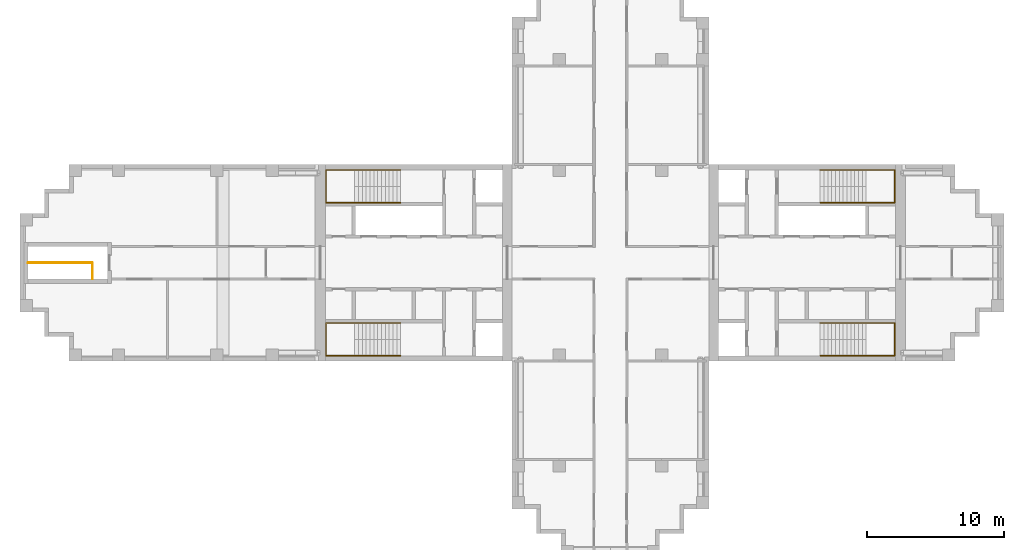
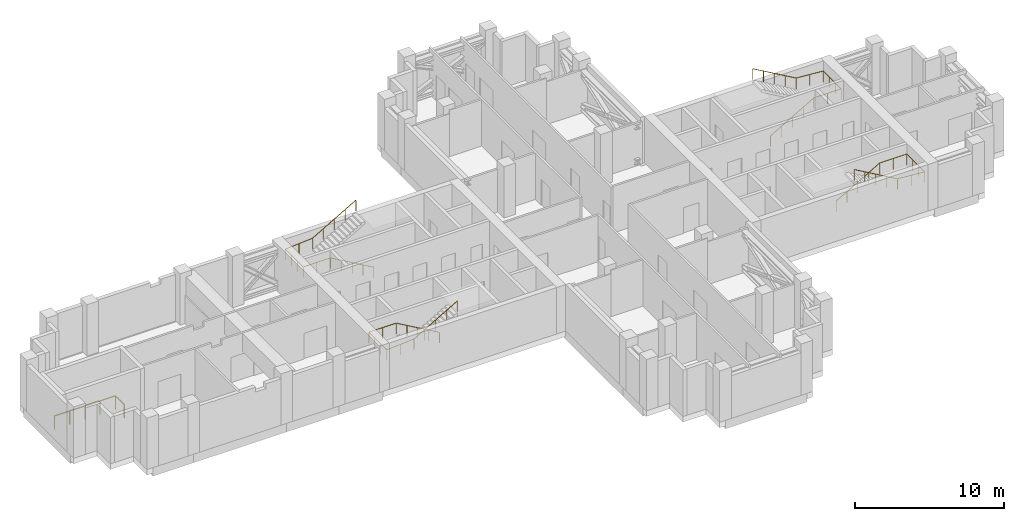
# One storey, part 8 of 8: 5 railings.
"""IFC4 building model written with IfcOpenShell, lengths in metres."""

from ifc_helpers import new_model, si_unit, direction, frame, origin, origin_2d, place, context, subcontext, project, spatial, circle, extrude, material, type_object, element, save


model = new_model("IFC4")

# Units and contexts
model_context = context("Model", 3, precision=1e-05, world=origin(), true_north=direction((0.0, 1.0)))
body_context = subcontext(model_context, "Body", "Model", "MODEL_VIEW")
ifc_project = project(units=[si_unit("LENGTHUNIT", "METRE"), si_unit("AREAUNIT", "SQUARE_METRE"), si_unit("VOLUMEUNIT", "CUBIC_METRE"), si_unit("PLANEANGLEUNIT", "RADIAN"), si_unit("MASSUNIT", "GRAM", prefix="KILO")], contexts=[model_context])

# Site, building, storey
site_placement = place(None, origin())
site = spatial("IfcSite", under=ifc_project, at=site_placement, CompositionType="ELEMENT")
building_placement = place(site_placement, origin())
building = spatial("IfcBuilding", under=site, at=building_placement, Name="Fustian Cross Tower", CompositionType="ELEMENT")
storey_placement = place(building_placement, frame((0.0, 0.0, 194.699951171875)))
storey = spatial("IfcBuildingStorey", under=building, at=storey_placement, Name="L61", CompositionType="ELEMENT", Elevation=194.699951171875)

# Railings
ifc_material_1 = material(Name="Stainless steel", Category="steel")
railing_type_1 = type_object("IfcRailingType", Name="STAIR GUARD", PredefinedType="GUARDRAIL", material=ifc_material_1)
railing_1_placement = place(storey_placement, frame((-37.89990234375, -1.199951171875, 0.0)))
element("IfcRailing", 1, at=railing_1_placement, inside=storey, type_object=railing_type_1, Name="Stair ST9 guard", PredefinedType="GUARDRAIL", context=body_context, shape_type="SweptSolid", body=[
    extrude(circle(Radius=0.02490234375, at=origin_2d()), frame((0.0, 0.0, 1.0751953125), z_axis=(0.0, 1.0, 0.0), x_axis=(-1.0, 0.0, 0.0)), (0.0, 0.0, 1.0), 1.199951171875),
    extrude(circle(Radius=0.02490234375, at=origin_2d()), frame((0.0, 1.199951171875, 1.0751953125), z_axis=(-1.0, 0.0, 0.0), x_axis=(0.0, -1.0, 0.0)), (0.0, 0.0, 1.0), 4.7001953125),
    extrude(circle(Radius=0.02001953125, at=origin_2d()), origin(), (0.0, 0.0, 1.0), 1.050048828125),
    extrude(circle(Radius=0.02001953125, at=origin_2d()), frame((0.0, 1.199951171875, 0.0)), (0.0, 0.0, 1.0), 1.050048828125),
    extrude(circle(Radius=0.02001953125, at=origin_2d()), frame((-1.175048828125, 1.199951171875, 0.0)), (0.0, 0.0, 1.0), 1.050048828125),
    extrude(circle(Radius=0.02001953125, at=origin_2d()), frame((-2.35009765625, 1.199951171875, 0.0)), (0.0, 0.0, 1.0), 1.050048828125),
    extrude(circle(Radius=0.02001953125, at=origin_2d()), frame((-3.525146484375, 1.199951171875, 0.0)), (0.0, 0.0, 1.0), 1.050048828125),
    extrude(circle(Radius=0.02001953125, at=origin_2d()), frame((-4.7001953125, 1.199951171875, 0.0)), (0.0, 0.0, 1.0), 1.050048828125),
])
ifc_material_2 = material(Name="Stainless steel", Category="steel")
railing_type_2 = type_object("IfcRailingType", Name="STAIR HANDRAIL", PredefinedType="HANDRAIL", material=ifc_material_2)
railing_2_placement = place(storey_placement, frame((15.35009765625, 4.39990234375, 0.16162109375)))
element("IfcRailing", 2, at=railing_2_placement, inside=storey, type_object=railing_type_2, Name="Stair ST1 handrail 1", PredefinedType="HANDRAIL", context=body_context, shape_type="SweptSolid", body=[
    extrude(circle(Radius=0.02490234375, at=origin_2d()), frame((0.0, 0.0, 0.875), z_axis=(0.866175107563, 0.0, 0.499740615757), x_axis=(0.0, 1.0, 0.0)), (0.0, 0.0, 1.0), 3.87890625),
    extrude(circle(Radius=0.02490234375, at=origin_2d()), frame((3.35986328125, 0.0, 2.8134765625), z_axis=(1.0, 0.0, 0.0), x_axis=(0.0, 1.0, 0.0)), (0.0, 0.0, 1.0), 2.10009765625),
    extrude(circle(Radius=0.02490234375, at=origin_2d()), frame((5.4599609375, 0.0, 2.8134765625), z_axis=(0.0, 1.0, 0.0), x_axis=(-1.0, 0.0, 0.0)), (0.0, 0.0, 1.0), 2.400146484375),
    extrude(circle(Radius=0.02490234375, at=origin_2d()), frame((5.4599609375, 2.400146484375, 2.8134765625), z_axis=(-0.997060618739, 0.0, 0.076616725062), x_axis=(0.0, -1.0, 0.0)), (0.0, 0.0, 1.0), 2.106201171875),
    extrude(circle(Radius=0.02490234375, at=origin_2d()), frame((3.35986328125, 2.400146484375, 2.974609375), z_axis=(-0.866175107563, 0.0, 0.499740615757), x_axis=(0.0, -1.0, 0.0)), (0.0, 0.0, 1.0), 3.87890625),
    extrude(circle(Radius=0.02001953125, at=origin_2d()), origin(), (0.0, 0.0, 1.0), 0.849853515625),
    extrude(circle(Radius=0.02001953125, at=origin_2d()), frame((0.83984375, 0.0, 0.484619140625)), (0.0, 0.0, 1.0), 0.849853515625),
    extrude(circle(Radius=0.02001953125, at=origin_2d()), frame((1.679931640625, 0.0, 0.96923828125)), (0.0, 0.0, 1.0), 0.849853515625),
    extrude(circle(Radius=0.02001953125, at=origin_2d()), frame((2.52001953125, 0.0, 1.453857421875)), (0.0, 0.0, 1.0), 0.849853515625),
    extrude(circle(Radius=0.02001953125, at=origin_2d()), frame((3.35986328125, 0.0, 1.9384765625)), (0.0, 0.0, 1.0), 0.849853515625),
    extrude(circle(Radius=0.02001953125, at=origin_2d()), frame((4.409912109375, 0.0, 1.9384765625)), (0.0, 0.0, 1.0), 0.849853515625),
    extrude(circle(Radius=0.02001953125, at=origin_2d()), frame((5.4599609375, 0.0, 1.9384765625)), (0.0, 0.0, 1.0), 0.849853515625),
    extrude(circle(Radius=0.02001953125, at=origin_2d()), frame((5.4599609375, 0.800048828125, 1.9384765625)), (0.0, 0.0, 1.0), 0.849853515625),
    extrude(circle(Radius=0.02001953125, at=origin_2d()), frame((5.4599609375, 1.60009765625, 1.9384765625)), (0.0, 0.0, 1.0), 0.849853515625),
    extrude(circle(Radius=0.02001953125, at=origin_2d()), frame((5.4599609375, 2.400146484375, 1.9384765625)), (0.0, 0.0, 1.0), 0.849853515625),
    extrude(circle(Radius=0.02001953125, at=origin_2d()), frame((4.409912109375, 2.400146484375, 2.01904296875)), (0.0, 0.0, 1.0), 0.849853515625),
    extrude(circle(Radius=0.02001953125, at=origin_2d()), frame((3.35986328125, 2.400146484375, 2.099853515625)), (0.0, 0.0, 1.0), 0.849853515625),
    extrude(circle(Radius=0.02001953125, at=origin_2d()), frame((2.52001953125, 2.400146484375, 2.58447265625)), (0.0, 0.0, 1.0), 0.849853515625),
    extrude(circle(Radius=0.02001953125, at=origin_2d()), frame((1.679931640625, 2.400146484375, 3.069091796875)), (0.0, 0.0, 1.0), 0.849853515625),
    extrude(circle(Radius=0.02001953125, at=origin_2d()), frame((0.83984375, 2.400146484375, 3.5537109375)), (0.0, 0.0, 1.0), 0.849853515625),
    extrude(circle(Radius=0.02001953125, at=origin_2d()), frame((0.0, 2.400146484375, 4.038330078125)), (0.0, 0.0, 1.0), 0.849853515625),
])
railing_3_placement = place(storey_placement, frame((15.35009765625, -4.39990234375, 0.16162109375)))
element("IfcRailing", 3, at=railing_3_placement, inside=storey, type_object=railing_type_2, Name="Stair ST2 handrail 1", PredefinedType="HANDRAIL", context=body_context, shape_type="SweptSolid", body=[
    extrude(circle(Radius=0.02490234375, at=origin_2d()), frame((0.0, 0.0, 0.875), z_axis=(0.866175107563, 0.0, 0.499740615757), x_axis=(0.0, 1.0, 0.0)), (0.0, 0.0, 1.0), 3.87890625),
    extrude(circle(Radius=0.02490234375, at=origin_2d()), frame((3.35986328125, 0.0, 2.8134765625), z_axis=(1.0, 0.0, 0.0), x_axis=(0.0, 1.0, 0.0)), (0.0, 0.0, 1.0), 2.10009765625),
    extrude(circle(Radius=0.02490234375, at=origin_2d()), frame((5.4599609375, 0.0, 2.8134765625), z_axis=(0.0, -1.0, 0.0), x_axis=(1.0, 0.0, 0.0)), (0.0, 0.0, 1.0), 2.400146484375),
    extrude(circle(Radius=0.02490234375, at=origin_2d()), frame((5.4599609375, -2.400146484375, 2.8134765625), z_axis=(-0.997060618739, 0.0, 0.076616725062), x_axis=(0.0, -1.0, 0.0)), (0.0, 0.0, 1.0), 2.106201171875),
    extrude(circle(Radius=0.02490234375, at=origin_2d()), frame((3.35986328125, -2.400146484375, 2.974609375), z_axis=(-0.866175107563, 0.0, 0.499740615757), x_axis=(0.0, -1.0, 0.0)), (0.0, 0.0, 1.0), 3.87890625),
    extrude(circle(Radius=0.02001953125, at=origin_2d()), origin(), (0.0, 0.0, 1.0), 0.849853515625),
    extrude(circle(Radius=0.02001953125, at=origin_2d()), frame((0.83984375, 0.0, 0.484619140625)), (0.0, 0.0, 1.0), 0.849853515625),
    extrude(circle(Radius=0.02001953125, at=origin_2d()), frame((1.679931640625, 0.0, 0.96923828125)), (0.0, 0.0, 1.0), 0.849853515625),
    extrude(circle(Radius=0.02001953125, at=origin_2d()), frame((2.52001953125, 0.0, 1.453857421875)), (0.0, 0.0, 1.0), 0.849853515625),
    extrude(circle(Radius=0.02001953125, at=origin_2d()), frame((3.35986328125, 0.0, 1.9384765625)), (0.0, 0.0, 1.0), 0.849853515625),
    extrude(circle(Radius=0.02001953125, at=origin_2d()), frame((4.409912109375, 0.0, 1.9384765625)), (0.0, 0.0, 1.0), 0.849853515625),
    extrude(circle(Radius=0.02001953125, at=origin_2d()), frame((5.4599609375, 0.0, 1.9384765625)), (0.0, 0.0, 1.0), 0.849853515625),
    extrude(circle(Radius=0.02001953125, at=origin_2d()), frame((5.4599609375, -0.800048828125, 1.9384765625)), (0.0, 0.0, 1.0), 0.849853515625),
    extrude(circle(Radius=0.02001953125, at=origin_2d()), frame((5.4599609375, -1.60009765625, 1.9384765625)), (0.0, 0.0, 1.0), 0.849853515625),
    extrude(circle(Radius=0.02001953125, at=origin_2d()), frame((5.4599609375, -2.400146484375, 1.9384765625)), (0.0, 0.0, 1.0), 0.849853515625),
    extrude(circle(Radius=0.02001953125, at=origin_2d()), frame((4.409912109375, -2.400146484375, 2.01904296875)), (0.0, 0.0, 1.0), 0.849853515625),
    extrude(circle(Radius=0.02001953125, at=origin_2d()), frame((3.35986328125, -2.400146484375, 2.099853515625)), (0.0, 0.0, 1.0), 0.849853515625),
    extrude(circle(Radius=0.02001953125, at=origin_2d()), frame((2.52001953125, -2.400146484375, 2.58447265625)), (0.0, 0.0, 1.0), 0.849853515625),
    extrude(circle(Radius=0.02001953125, at=origin_2d()), frame((1.679931640625, -2.400146484375, 3.069091796875)), (0.0, 0.0, 1.0), 0.849853515625),
    extrude(circle(Radius=0.02001953125, at=origin_2d()), frame((0.83984375, -2.400146484375, 3.5537109375)), (0.0, 0.0, 1.0), 0.849853515625),
    extrude(circle(Radius=0.02001953125, at=origin_2d()), frame((0.0, -2.400146484375, 4.038330078125)), (0.0, 0.0, 1.0), 0.849853515625),
])
railing_4_placement = place(storey_placement, frame((-15.35009765625, 4.39990234375, 0.16162109375)))
element("IfcRailing", 4, at=railing_4_placement, inside=storey, type_object=railing_type_2, Name="Stair ST3 handrail 1", PredefinedType="HANDRAIL", context=body_context, shape_type="SweptSolid", body=[
    extrude(circle(Radius=0.02490234375, at=origin_2d()), frame((0.0, 0.0, 0.875), z_axis=(-0.866175107563, 0.0, 0.499740615757), x_axis=(0.0, -1.0, 0.0)), (0.0, 0.0, 1.0), 3.87890625),
    extrude(circle(Radius=0.02490234375, at=origin_2d()), frame((-3.35986328125, 0.0, 2.8134765625), z_axis=(-1.0, 0.0, 0.0), x_axis=(0.0, -1.0, 0.0)), (0.0, 0.0, 1.0), 2.10009765625),
    extrude(circle(Radius=0.02490234375, at=origin_2d()), frame((-5.4599609375, 0.0, 2.8134765625), z_axis=(0.0, 1.0, 0.0), x_axis=(-1.0, 0.0, 0.0)), (0.0, 0.0, 1.0), 2.400146484375),
    extrude(circle(Radius=0.02490234375, at=origin_2d()), frame((-5.4599609375, 2.400146484375, 2.8134765625), z_axis=(0.997060618739, 0.0, 0.076616725062), x_axis=(0.0, 1.0, 0.0)), (0.0, 0.0, 1.0), 2.106201171875),
    extrude(circle(Radius=0.02490234375, at=origin_2d()), frame((-3.35986328125, 2.400146484375, 2.974609375), z_axis=(0.866175107563, 0.0, 0.499740615757), x_axis=(0.0, 1.0, 0.0)), (0.0, 0.0, 1.0), 3.87890625),
    extrude(circle(Radius=0.02001953125, at=origin_2d()), origin(), (0.0, 0.0, 1.0), 0.849853515625),
    extrude(circle(Radius=0.02001953125, at=origin_2d()), frame((-0.83984375, 0.0, 0.484619140625)), (0.0, 0.0, 1.0), 0.849853515625),
    extrude(circle(Radius=0.02001953125, at=origin_2d()), frame((-1.679931640625, 0.0, 0.96923828125)), (0.0, 0.0, 1.0), 0.849853515625),
    extrude(circle(Radius=0.02001953125, at=origin_2d()), frame((-2.52001953125, 0.0, 1.453857421875)), (0.0, 0.0, 1.0), 0.849853515625),
    extrude(circle(Radius=0.02001953125, at=origin_2d()), frame((-3.35986328125, 0.0, 1.9384765625)), (0.0, 0.0, 1.0), 0.849853515625),
    extrude(circle(Radius=0.02001953125, at=origin_2d()), frame((-4.409912109375, 0.0, 1.9384765625)), (0.0, 0.0, 1.0), 0.849853515625),
    extrude(circle(Radius=0.02001953125, at=origin_2d()), frame((-5.4599609375, 0.0, 1.9384765625)), (0.0, 0.0, 1.0), 0.849853515625),
    extrude(circle(Radius=0.02001953125, at=origin_2d()), frame((-5.4599609375, 0.800048828125, 1.9384765625)), (0.0, 0.0, 1.0), 0.849853515625),
    extrude(circle(Radius=0.02001953125, at=origin_2d()), frame((-5.4599609375, 1.60009765625, 1.9384765625)), (0.0, 0.0, 1.0), 0.849853515625),
    extrude(circle(Radius=0.02001953125, at=origin_2d()), frame((-5.4599609375, 2.400146484375, 1.9384765625)), (0.0, 0.0, 1.0), 0.849853515625),
    extrude(circle(Radius=0.02001953125, at=origin_2d()), frame((-4.409912109375, 2.400146484375, 2.01904296875)), (0.0, 0.0, 1.0), 0.849853515625),
    extrude(circle(Radius=0.02001953125, at=origin_2d()), frame((-3.35986328125, 2.400146484375, 2.099853515625)), (0.0, 0.0, 1.0), 0.849853515625),
    extrude(circle(Radius=0.02001953125, at=origin_2d()), frame((-2.52001953125, 2.400146484375, 2.58447265625)), (0.0, 0.0, 1.0), 0.849853515625),
    extrude(circle(Radius=0.02001953125, at=origin_2d()), frame((-1.679931640625, 2.400146484375, 3.069091796875)), (0.0, 0.0, 1.0), 0.849853515625),
    extrude(circle(Radius=0.02001953125, at=origin_2d()), frame((-0.83984375, 2.400146484375, 3.5537109375)), (0.0, 0.0, 1.0), 0.849853515625),
    extrude(circle(Radius=0.02001953125, at=origin_2d()), frame((0.0, 2.400146484375, 4.038330078125)), (0.0, 0.0, 1.0), 0.849853515625),
])
railing_5_placement = place(storey_placement, frame((-15.35009765625, -4.39990234375, 0.16162109375)))
element("IfcRailing", 5, at=railing_5_placement, inside=storey, type_object=railing_type_2, Name="Stair ST4 handrail 1", PredefinedType="HANDRAIL", context=body_context, shape_type="SweptSolid", body=[
    extrude(circle(Radius=0.02490234375, at=origin_2d()), frame((0.0, 0.0, 0.875), z_axis=(-0.866175107563, 0.0, 0.499740615757), x_axis=(0.0, -1.0, 0.0)), (0.0, 0.0, 1.0), 3.87890625),
    extrude(circle(Radius=0.02490234375, at=origin_2d()), frame((-3.35986328125, 0.0, 2.8134765625), z_axis=(-1.0, 0.0, 0.0), x_axis=(0.0, -1.0, 0.0)), (0.0, 0.0, 1.0), 2.10009765625),
    extrude(circle(Radius=0.02490234375, at=origin_2d()), frame((-5.4599609375, 0.0, 2.8134765625), z_axis=(0.0, -1.0, 0.0), x_axis=(1.0, 0.0, 0.0)), (0.0, 0.0, 1.0), 2.400146484375),
    extrude(circle(Radius=0.02490234375, at=origin_2d()), frame((-5.4599609375, -2.400146484375, 2.8134765625), z_axis=(0.997060618739, 0.0, 0.076616725062), x_axis=(0.0, 1.0, 0.0)), (0.0, 0.0, 1.0), 2.106201171875),
    extrude(circle(Radius=0.02490234375, at=origin_2d()), frame((-3.35986328125, -2.400146484375, 2.974609375), z_axis=(0.866175107563, 0.0, 0.499740615757), x_axis=(0.0, 1.0, 0.0)), (0.0, 0.0, 1.0), 3.87890625),
    extrude(circle(Radius=0.02001953125, at=origin_2d()), origin(), (0.0, 0.0, 1.0), 0.849853515625),
    extrude(circle(Radius=0.02001953125, at=origin_2d()), frame((-0.83984375, 0.0, 0.484619140625)), (0.0, 0.0, 1.0), 0.849853515625),
    extrude(circle(Radius=0.02001953125, at=origin_2d()), frame((-1.679931640625, 0.0, 0.96923828125)), (0.0, 0.0, 1.0), 0.849853515625),
    extrude(circle(Radius=0.02001953125, at=origin_2d()), frame((-2.52001953125, 0.0, 1.453857421875)), (0.0, 0.0, 1.0), 0.849853515625),
    extrude(circle(Radius=0.02001953125, at=origin_2d()), frame((-3.35986328125, 0.0, 1.9384765625)), (0.0, 0.0, 1.0), 0.849853515625),
    extrude(circle(Radius=0.02001953125, at=origin_2d()), frame((-4.409912109375, 0.0, 1.9384765625)), (0.0, 0.0, 1.0), 0.849853515625),
    extrude(circle(Radius=0.02001953125, at=origin_2d()), frame((-5.4599609375, 0.0, 1.9384765625)), (0.0, 0.0, 1.0), 0.849853515625),
    extrude(circle(Radius=0.02001953125, at=origin_2d()), frame((-5.4599609375, -0.800048828125, 1.9384765625)), (0.0, 0.0, 1.0), 0.849853515625),
    extrude(circle(Radius=0.02001953125, at=origin_2d()), frame((-5.4599609375, -1.60009765625, 1.9384765625)), (0.0, 0.0, 1.0), 0.849853515625),
    extrude(circle(Radius=0.02001953125, at=origin_2d()), frame((-5.4599609375, -2.400146484375, 1.9384765625)), (0.0, 0.0, 1.0), 0.849853515625),
    extrude(circle(Radius=0.02001953125, at=origin_2d()), frame((-4.409912109375, -2.400146484375, 2.01904296875)), (0.0, 0.0, 1.0), 0.849853515625),
    extrude(circle(Radius=0.02001953125, at=origin_2d()), frame((-3.35986328125, -2.400146484375, 2.099853515625)), (0.0, 0.0, 1.0), 0.849853515625),
    extrude(circle(Radius=0.02001953125, at=origin_2d()), frame((-2.52001953125, -2.400146484375, 2.58447265625)), (0.0, 0.0, 1.0), 0.849853515625),
    extrude(circle(Radius=0.02001953125, at=origin_2d()), frame((-1.679931640625, -2.400146484375, 3.069091796875)), (0.0, 0.0, 1.0), 0.849853515625),
    extrude(circle(Radius=0.02001953125, at=origin_2d()), frame((-0.83984375, -2.400146484375, 3.5537109375)), (0.0, 0.0, 1.0), 0.849853515625),
    extrude(circle(Radius=0.02001953125, at=origin_2d()), frame((0.0, -2.400146484375, 4.038330078125)), (0.0, 0.0, 1.0), 0.849853515625),
])

save(model, "model.ifc")
